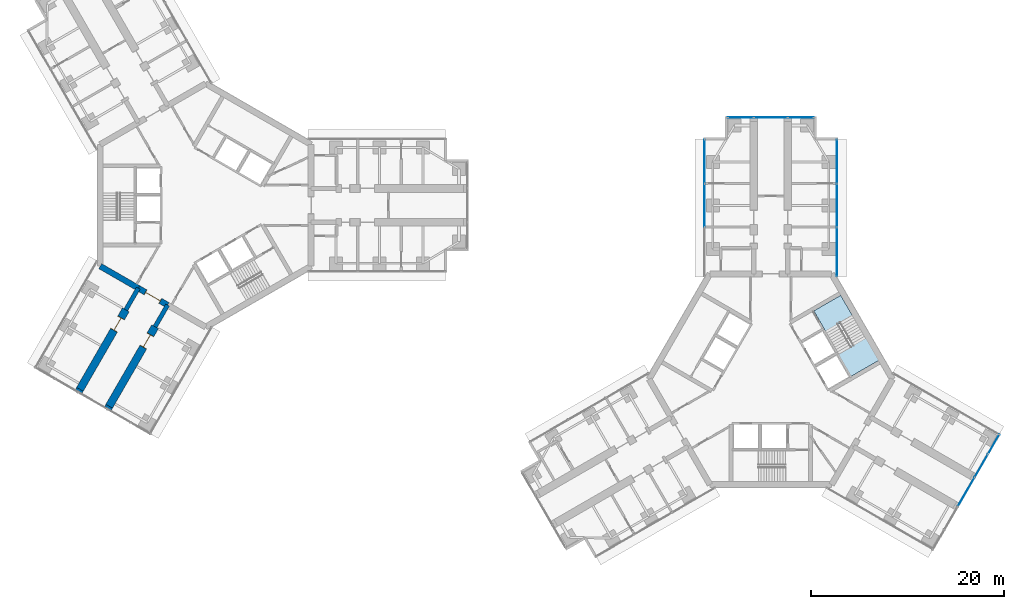
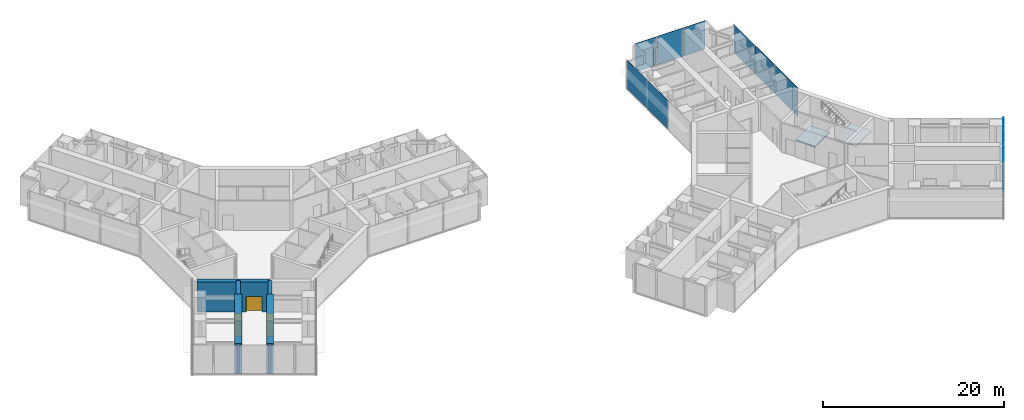
# One storey, part 14 of 21: 11 plates, 8 walls, 3 doors, 2 slabs, 3 openings, 5 elements without a shape of their own.
"""IFC4 building model written with IfcOpenShell, lengths in metres."""

from ifc_helpers import new_model, si_unit, direction, frame, frame_2d, origin, origin_2d, place, context, subcontext, project, spatial, polyline, rectangle, outline, extrude, material, layer, layer_set, type_object, element, fill, aggregate, save


model = new_model("IFC4")

# Units and contexts
model_context = context("Model", 3, precision=1e-05, world=origin(), true_north=direction((0.0, 1.0)))
body_context = subcontext(model_context, "Body", "Model", "MODEL_VIEW")
ifc_project = project(units=[si_unit("LENGTHUNIT", "METRE"), si_unit("AREAUNIT", "SQUARE_METRE"), si_unit("VOLUMEUNIT", "CUBIC_METRE"), si_unit("PLANEANGLEUNIT", "RADIAN"), si_unit("MASSUNIT", "GRAM", prefix="KILO")], contexts=[model_context])

# Site, building, storey
site_placement = place(None, origin())
site = spatial("IfcSite", under=ifc_project, at=site_placement, CompositionType="ELEMENT")
building_placement = place(site_placement, origin())
building = spatial("IfcBuilding", under=site, at=building_placement, Name="Upepo Twin Towers", CompositionType="ELEMENT")
storey_placement = place(building_placement, frame((0.0, 0.0, 117.5)))
storey = spatial("IfcBuildingStorey", under=building, at=storey_placement, Name="L28", CompositionType="ELEMENT", Elevation=117.5)

# Curtain wall, plates
ifc_material_1 = material(Name="Aluminium and fritted glass", Category="aluminium")
curtain_wall_type = type_object("IfcCurtainWallType", Name="Tower curtain wall TW2, fritted glass", PredefinedType="NOTDEFINED", material=ifc_material_1)
curtain_wall_1_placement = place(storey_placement, origin())
curtain_wall_1 = element("IfcCurtainWall", 1, at=curtain_wall_1_placement, inside=storey, type_object=curtain_wall_type, Name="T2 L28 wing A flank L curtain wall", PredefinedType="NOTDEFINED")
ifc_material_2 = material(Name="Ceramic-fritted laminated glass", Category="glass")
ifc_layer_1 = layer(ifc_material_2, 0.031982421875)
ifc_layer_set_1 = layer_set([ifc_layer_1], Name="Fritted glass panel, 35 per cent dot frit, 32 mm double glazed")
plate_type_1 = type_object("IfcPlateType", Name="Fritted glass panel, 35 per cent dot frit, 32 mm double glazed", PredefinedType="CURTAIN_PANEL", material=ifc_layer_set_1)
plate_1_placement = place(storey_placement, frame((51.64990234375, 0.0, 0.14990234375), z_axis=(0.0, 0.0, 1.0), x_axis=(0.0, 1.0, 0.0)))
plate_1 = element("IfcPlate", 2, at=plate_1_placement, type_object=plate_type_1, Name="T2 L28 wing A flank L curtain wall panel 2", PredefinedType="CURTAIN_PANEL", context=body_context, shape_type="SweptSolid", body=[
    extrude(rectangle(XDim=4.43505859375, YDim=0.031982421875, at=origin_2d()), origin(), (0.0, 0.0, 1.0), 3.85009765625),
])
plate_2_placement = place(storey_placement, frame((51.64990234375, 4.53369140625, 0.14990234375), z_axis=(0.0, 0.0, 1.0), x_axis=(0.0, 1.0, 0.0)))
plate_2 = element("IfcPlate", 3, at=plate_2_placement, type_object=plate_type_1, Name="T2 L28 wing A flank L curtain wall panel 3", PredefinedType="CURTAIN_PANEL", context=body_context, shape_type="SweptSolid", body=[
    extrude(rectangle(XDim=4.50244140625, YDim=0.031982421875, at=origin_2d()), origin(), (0.0, 0.0, 1.0), 3.85009765625),
])
aggregate(curtain_wall_1, [plate_1, plate_2])

curtain_wall_2_placement = place(storey_placement, origin())
curtain_wall_2 = element("IfcCurtainWall", 4, at=curtain_wall_2_placement, inside=storey, type_object=curtain_wall_type, Name="T2 L28 wing A flank R curtain wall", PredefinedType="NOTDEFINED")
plate_3_placement = place(storey_placement, frame((65.35009765625, 4.53369140625, 0.14990234375), z_axis=(0.0, 0.0, 1.0), x_axis=(0.0, -1.0, 0.0)))
plate_3 = element("IfcPlate", 5, at=plate_3_placement, type_object=plate_type_1, Name="T2 L28 wing A flank R curtain wall panel 1", PredefinedType="CURTAIN_PANEL", context=body_context, shape_type="SweptSolid", body=[
    extrude(rectangle(XDim=4.50244140625, YDim=0.031982421875, at=origin_2d()), origin(), (0.0, 0.0, 1.0), 3.85009765625),
])
plate_4_placement = place(storey_placement, frame((65.35009765625, 0.0, 0.14990234375), z_axis=(0.0, 0.0, 1.0), x_axis=(0.0, -1.0, 0.0)))
plate_4 = element("IfcPlate", 6, at=plate_4_placement, type_object=plate_type_1, Name="T2 L28 wing A flank R curtain wall panel 2", PredefinedType="CURTAIN_PANEL", context=body_context, shape_type="SweptSolid", body=[
    extrude(rectangle(XDim=4.43505859375, YDim=0.031982421875, at=origin_2d()), origin(), (0.0, 0.0, 1.0), 3.85009765625),
])
plate_5_placement = place(storey_placement, frame((65.35009765625, -4.815185546875, 0.14990234375), z_axis=(0.0, 0.0, 1.0), x_axis=(0.0, -1.0, 0.0)))
plate_5 = element("IfcPlate", 7, at=plate_5_placement, type_object=plate_type_1, Name="T2 L28 wing A flank R curtain wall panel 3", PredefinedType="CURTAIN_PANEL", context=body_context, shape_type="SweptSolid", body=[
    extrude(rectangle(XDim=5.0654296875, YDim=0.031982421875, at=origin_2d()), origin(), (0.0, 0.0, 1.0), 3.85009765625),
])
aggregate(curtain_wall_2, [plate_3, plate_4, plate_5])

# Curtain wall, plate
curtain_wall_3_placement = place(storey_placement, origin())
curtain_wall_3 = element("IfcCurtainWall", 8, at=curtain_wall_3_placement, inside=storey, type_object=curtain_wall_type, Name="T2 L28 wing A nose curtain wall", PredefinedType="NOTDEFINED")
plate_6_placement = place(storey_placement, frame((58.5, 9.10009765625, 0.14990234375), z_axis=(0.0, 0.0, 1.0), x_axis=(-1.0, 0.0, 0.0)))
plate_6 = element("IfcPlate", 9, at=plate_6_placement, type_object=plate_type_1, Name="T2 L28 wing A nose curtain wall panel 2", PredefinedType="CURTAIN_PANEL", context=body_context, shape_type="SweptSolid", body=[
    extrude(rectangle(XDim=3.43505859375, YDim=0.031982421875, at=origin_2d()), origin(), (0.0, 0.0, 1.0), 3.85009765625),
])

# Curtain wall, plates
curtain_wall_4_placement = place(storey_placement, origin())
curtain_wall_4 = element("IfcCurtainWall", 10, at=curtain_wall_4_placement, inside=storey, type_object=curtain_wall_type, Name="T2 L28 wing C nose curtain wall", PredefinedType="NOTDEFINED")
plate_7_placement = place(storey_placement, frame((78.7216796875, -29.675048828125, 0.14990234375), z_axis=(0.0, 0.0, 1.0), x_axis=(0.499999972355, 0.866025419745, 0.0)))
plate_7 = element("IfcPlate", 11, at=plate_7_placement, type_object=plate_type_1, Name="T2 L28 wing C nose curtain wall panel 3", PredefinedType="CURTAIN_PANEL", context=body_context, shape_type="SweptSolid", body=[
    extrude(rectangle(XDim=3.43505859375, YDim=0.031982421875, at=origin_2d()), origin(), (0.0, 0.0, 1.0), 3.85009765625),
])
plate_8_placement = place(storey_placement, frame((80.2841796875, -26.96875, 0.14990234375), z_axis=(0.0, 0.0, 1.0), x_axis=(0.499999972355, 0.866025419745, 0.0)))
plate_8 = element("IfcPlate", 12, at=plate_8_placement, type_object=plate_type_1, Name="T2 L28 wing C nose curtain wall panel 4", PredefinedType="CURTAIN_PANEL", context=body_context, shape_type="SweptSolid", body=[
    extrude(rectangle(XDim=2.68505859375, YDim=0.031982421875, at=origin_2d()), origin(), (0.0, 0.0, 1.0), 3.85009765625),
])

# Plate
ifc_material_3 = material(Name="Clear laminated glass in opening sash", Category="glass")
ifc_layer_2 = layer(ifc_material_3, 0.031982421875)
ifc_layer_set_2 = layer_set([ifc_layer_2], Name="Operable glass panel, 32 mm double glazed")
plate_type_2 = type_object("IfcPlateType", Name="Operable glass panel, 32 mm double glazed", PredefinedType="CURTAIN_PANEL", material=ifc_layer_set_2)
plate_9_placement = place(storey_placement, frame((61.608642578125, 9.10009765625, 0.14990234375), z_axis=(0.0, 0.0, 1.0), x_axis=(-1.0, 0.0, 0.0)))
plate_9 = element("IfcPlate", 13, at=plate_9_placement, type_object=plate_type_2, Name="T2 L28 wing A nose curtain wall panel 1", PredefinedType="CURTAIN_PANEL", context=body_context, shape_type="SweptSolid", body=[
    extrude(rectangle(XDim=2.652587890625, YDim=0.031982421875, at=origin_2d()), origin(), (0.0, 0.0, 1.0), 3.85009765625),
])

plate_10_placement = place(storey_placement, frame((55.391357421875, 9.10009765625, 0.14990234375), z_axis=(0.0, 0.0, 1.0), x_axis=(-1.0, 0.0, 0.0)))
plate_10 = element("IfcPlate", 14, at=plate_10_placement, type_object=plate_type_2, Name="T2 L28 wing A nose curtain wall panel 3", PredefinedType="CURTAIN_PANEL", context=body_context, shape_type="SweptSolid", body=[
    extrude(rectangle(XDim=2.652587890625, YDim=0.031982421875, at=origin_2d()), origin(), (0.0, 0.0, 1.0), 3.85009765625),
])

aggregate(curtain_wall_3, [plate_9, plate_6, plate_10])

plate_11_placement = place(storey_placement, frame((81.576171875, -24.73095703125, 0.14990234375), z_axis=(0.0, 0.0, 1.0), x_axis=(0.499999972355, 0.866025419745, 0.0)))
plate_11 = element("IfcPlate", 15, at=plate_11_placement, type_object=plate_type_2, Name="T2 L28 wing C nose curtain wall panel 5", PredefinedType="CURTAIN_PANEL", context=body_context, shape_type="SweptSolid", body=[
    extrude(rectangle(XDim=2.3525390625, YDim=0.031982421875, at=origin_2d()), origin(), (0.0, 0.0, 1.0), 3.85009765625),
])

aggregate(curtain_wall_4, [plate_7, plate_8, plate_11])

# Stair, slabs
ifc_material_4 = material(Name="Concrete C40/50", Category="concrete")
stair_type = type_object("IfcStairType", Name="Core stair, two flights", PredefinedType="HALF_TURN_STAIR", material=ifc_material_4)
stair_placement = place(storey_placement, origin())
stair = element("IfcStair", 16, at=stair_placement, inside=storey, type_object=stair_type, Name="T2 stair S2 L28", PredefinedType="HALF_TURN_STAIR")
ifc_material_5 = material(Name="Concrete C40/50", Category="concrete")
ifc_layer_3 = layer(ifc_material_5, 0.199951171875)
ifc_layer_set_3 = layer_set([ifc_layer_3], Name="Concrete C40/50")
slab_type = type_object("IfcSlabType", Name="Stair landing 200 RC", PredefinedType="LANDING", material=ifc_layer_set_3)
slab_1_placement = place(storey_placement, frame((0.0, 0.0, -0.199951171875)))
slab_1 = element("IfcSlab", 17, at=slab_1_placement, type_object=slab_type, Name="Stair S2 landing 1", PredefinedType="LANDING", context=body_context, shape_type="SweptSolid", body=[
    extrude(outline(polyline([(64.198486328125, -13.0703125), (66.97705078125, -11.466064453125), (65.737060546875, -9.318359375), (62.95849609375, -10.922607421875), (64.198486328125, -13.0703125)])), origin(), (0.0, 0.0, 1.0), 0.199951171875),
])
slab_2_placement = place(storey_placement, frame((0.0, 0.0, 1.800048828125)))
slab_2 = element("IfcSlab", 18, at=slab_2_placement, type_object=slab_type, Name="Stair S2 landing 2", PredefinedType="LANDING", context=body_context, shape_type="SweptSolid", body=[
    extrude(outline(polyline([(66.77197265625, -17.7275390625), (69.7236328125, -16.0234375), (68.36376953125, -13.667724609375), (65.411865234375, -15.371826171875), (66.77197265625, -17.7275390625)])), origin(), (0.0, 0.0, 1.0), 0.199951171875),
])
aggregate(stair, [slab_1, slab_2])

# Walls
ifc_material_6 = material(Name="Dense concrete blockwork", Category="masonry")
ifc_layer_4 = layer(ifc_material_6, 0.800048828125)
ifc_layer_set_4 = layer_set([ifc_layer_4], Name="Buttress closer 800, blockwork with fire-stopping to the curtain wall")
wall_type_1 = type_object("IfcWallType", Name="Buttress closer 800, blockwork with fire-stopping to the curtain wall", PredefinedType="PARTITIONING", material=ifc_layer_set_4)
for number, where, z_axis, x_axis, name in (
    (19, (-9.984375, -20.793701171875, 0.0), (0.0, 0.0, 1.0), (-0.500342721131, -0.865827443207, 0.0), "T1 L28 wing C buttress closer L"),
    (20, (-13.015625, -19.043701171875, 0.0), (0.0, 0.0, 1.0), (-0.500342721131, -0.865827443207, 0.0), "T1 L28 wing C buttress closer R"),
):
    element("IfcWall", number, at=place(storey_placement, frame(where, z_axis=z_axis, x_axis=x_axis)), inside=storey, type_object=wall_type_1, Name=name, PredefinedType="PARTITIONING", context=body_context, shape_type="SweptSolid", body=[
        extrude(rectangle(XDim=0.249755859375, YDim=0.800048828125, at=frame_2d((0.125, 0.0))), origin(), (0.0, 0.0, 1.0), 3.800048828125),
    ])
ifc_material_7 = material(Name="Concrete C60/75", Category="concrete")
ifc_layer_5 = layer(ifc_material_7, 0.449951171875)
ifc_layer_set_5 = layer_set([ifc_layer_5], Name="Concrete C60/75")
wall_type_2 = type_object("IfcWallType", Name="Buttress wall 450 RC", PredefinedType="SHEAR", material=ifc_layer_set_5)
for number, where, z_axis, x_axis, name in (
    (21, (-3.938720703125, -10.32177734375, 0.0), (0.0, 0.0, 1.0), (-0.499918158782, -0.866072649678, 0.0), "T1 wing C buttress wall L"),
    (22, (-6.9697265625, -8.57177734375, 0.0), (0.0, 0.0, 1.0), (-0.499988811324, -0.866031863473, 0.0), "T1 wing C buttress wall R"),
):
    element("IfcWall", number, at=place(storey_placement, frame(where, z_axis=z_axis, x_axis=x_axis)), inside=storey, type_object=wall_type_2, Name=name, PredefinedType="SHEAR", context=body_context, shape_type="SweptSolid", body=[
        extrude(rectangle(XDim=2.591796875, YDim=0.449951171875, at=frame_2d((1.2958984375, 0.0))), origin(), (0.0, 0.0, 1.0), 4.0),
    ])

# Wall, opening, door
ifc_material_8 = material(Name="Concrete C60/75", Category="concrete")
ifc_layer_6 = layer(ifc_material_8, 0.800048828125)
ifc_layer_set_6 = layer_set([ifc_layer_6], Name="Concrete C60/75")
wall_type_3 = type_object("IfcWallType", Name="Buttress wall 800 RC", PredefinedType="SHEAR", material=ifc_layer_set_6)
wall_1_placement = place(storey_placement, frame((-5.234375, -12.56640625, 0.0), z_axis=(0.0, 0.0, 1.0), x_axis=(-0.499997557548, -0.86602681393, 0.0)))
wall_1 = element("IfcWall", 23, at=wall_1_placement, inside=storey, type_object=wall_type_3, Name="T1 wing C buttress wall L part 2", PredefinedType="SHEAR", context=body_context, shape_type="SweptSolid", body=[
    extrude(rectangle(XDim=9.5, YDim=0.800048828125, at=frame_2d((4.75, 0.0))), origin(), (0.0, 0.0, 1.0), 4.0),
])
opening_1_placement = place(wall_1_placement, frame((0.949951171875, 0.0, 0.0)))
opening_1 = element("IfcOpeningElement", 24, at=opening_1_placement, cuts=wall_1, Name="Opening D13", PredefinedType="OPENING", context=body_context, shape_type="SweptSolid", body=[
    extrude(rectangle(XDim=1.5, YDim=2.10009765625, at=frame_2d((0.75, 1.050048828125))), frame((0.0, 0.409912109375, 0.0), z_axis=(0.0, -1.0, 0.0), x_axis=(1.0, 0.0, 0.0)), (0.0, 0.0, 1.0), 0.820068359375),
])
ifc_material_9 = material(Name="Timber doorset", Category="wood")
door_type_1 = type_object("IfcDoorType", Name="Double door 1500 FD30", OperationType="DOUBLE_DOOR_SINGLE_SWING", PredefinedType="DOOR", material=ifc_material_9)
door_1_placement = place(opening_1_placement, origin())
door_1 = element("IfcDoor", 25, at=door_1_placement, inside=storey, type_object=door_type_1, Name="T1 L28 laboratory prep room door", OperationType="DOUBLE_DOOR_SINGLE_SWING", OverallHeight=2.10009765625, OverallWidth=1.5, PredefinedType="DOOR", context=body_context, shape_type="SweptSolid", body=[
    extrude(rectangle(XDim=1.42, YDim=2.06009765625, at=frame_2d((0.75, 1.030029296875))), frame((0.0, 0.02490234375, 0.0), z_axis=(0.0, -1.0, 0.0), x_axis=(1.0, 0.0, 0.0)), (0.0, 0.0, 1.0), 0.050048828125),
    extrude(rectangle(XDim=0.04, YDim=2.10009765625, at=frame_2d((0.02001953125, 1.050048828125))), frame((0.0, 0.39990234375, 0.0), z_axis=(0.0, -1.0, 0.0), x_axis=(1.0, 0.0, 0.0)), (0.0, 0.0, 1.0), 0.799560546875),
    extrude(rectangle(XDim=0.04, YDim=2.10009765625, at=frame_2d((1.47998046875, 1.050048828125))), frame((0.0, 0.39990234375, 0.0), z_axis=(0.0, -1.0, 0.0), x_axis=(1.0, 0.0, 0.0)), (0.0, 0.0, 1.0), 0.799560546875),
    extrude(rectangle(XDim=1.42, YDim=0.04, at=frame_2d((0.75, 2.080078125))), frame((0.0, 0.39990234375, 0.0), z_axis=(0.0, -1.0, 0.0), x_axis=(1.0, 0.0, 0.0)), (0.0, 0.0, 1.0), 0.799560546875),
])
fill(opening_1, door_1)

wall_2_placement = place(storey_placement, frame((-8.265625, -10.81640625, 0.0), z_axis=(0.0, 0.0, 1.0), x_axis=(-0.499997557548, -0.86602681393, 0.0)))
wall_2 = element("IfcWall", 26, at=wall_2_placement, inside=storey, type_object=wall_type_3, Name="T1 wing C buttress wall R part 2", PredefinedType="SHEAR", context=body_context, shape_type="SweptSolid", body=[
    extrude(rectangle(XDim=9.5, YDim=0.800048828125, at=frame_2d((4.75, 0.0))), origin(), (0.0, 0.0, 1.0), 4.0),
])
opening_2_placement = place(wall_2_placement, frame((0.949951171875, 0.0, 0.0)))
opening_2 = element("IfcOpeningElement", 27, at=opening_2_placement, cuts=wall_2, Name="Opening D13", PredefinedType="OPENING", context=body_context, shape_type="SweptSolid", body=[
    extrude(rectangle(XDim=1.5, YDim=2.10009765625, at=frame_2d((0.75, 1.050048828125))), frame((0.0, 0.409912109375, 0.0), z_axis=(0.0, -1.0, 0.0), x_axis=(1.0, 0.0, 0.0)), (0.0, 0.0, 1.0), 0.820068359375),
])
door_2_placement = place(opening_2_placement, origin())
door_2 = element("IfcDoor", 28, at=door_2_placement, inside=storey, type_object=door_type_1, Name="T1 L28 laboratory prep room door", OperationType="DOUBLE_DOOR_SINGLE_SWING", OverallHeight=2.10009765625, OverallWidth=1.5, PredefinedType="DOOR", context=body_context, shape_type="SweptSolid", body=[
    extrude(rectangle(XDim=1.42, YDim=2.06009765625, at=frame_2d((0.75, 1.030029296875))), frame((0.0, 0.02490234375, 0.0), z_axis=(0.0, -1.0, 0.0), x_axis=(1.0, 0.0, 0.0)), (0.0, 0.0, 1.0), 0.050048828125),
    extrude(rectangle(XDim=0.04, YDim=2.10009765625, at=frame_2d((0.02001953125, 1.050048828125))), frame((0.0, 0.39990234375, 0.0), z_axis=(0.0, -1.0, 0.0), x_axis=(1.0, 0.0, 0.0)), (0.0, 0.0, 1.0), 0.799560546875),
    extrude(rectangle(XDim=0.04, YDim=2.10009765625, at=frame_2d((1.47998046875, 1.050048828125))), frame((0.0, 0.39990234375, 0.0), z_axis=(0.0, -1.0, 0.0), x_axis=(1.0, 0.0, 0.0)), (0.0, 0.0, 1.0), 0.799560546875),
    extrude(rectangle(XDim=1.42, YDim=0.04, at=frame_2d((0.75, 2.080078125))), frame((0.0, 0.39990234375, 0.0), z_axis=(0.0, -1.0, 0.0), x_axis=(1.0, 0.0, 0.0)), (0.0, 0.0, 1.0), 0.799560546875),
])
fill(opening_2, door_2)

# Wall
ifc_material_10 = material(Name="Concrete C60/75", Category="concrete")
ifc_layer_7 = layer(ifc_material_10, 0.60009765625)
ifc_layer_set_7 = layer_set([ifc_layer_7], Name="Concrete C60/75")
wall_type_4 = type_object("IfcWallType", Name="Core wall 600 RC", PredefinedType="SHEAR", material=ifc_layer_set_7)
wall_3_placement = place(storey_placement, frame((-10.908447265625, -6.2978515625, 0.0), z_axis=(0.0, 0.0, 1.0), x_axis=(0.866034513004, -0.499984222037, 0.0)))
element("IfcWall", 29, at=wall_3_placement, inside=storey, type_object=wall_type_4, Name="T1 core wall 240 R", PredefinedType="SHEAR", context=body_context, shape_type="SweptSolid", body=[
    extrude(rectangle(XDim=4.548095703125, YDim=0.60009765625, at=frame_2d((2.27392578125, 0.0))), origin(), (0.0, 0.0, 1.0), 4.0),
])

# Wall, opening, door
wall_4_placement = place(storey_placement, frame((-6.9697265625, -8.57177734375, 0.0), z_axis=(0.0, 0.0, 1.0), x_axis=(0.866019471182, -0.500010275428, 0.0)))
wall_4 = element("IfcWall", 30, at=wall_4_placement, inside=storey, type_object=wall_type_4, Name="T1 core wall 240", PredefinedType="SHEAR", context=body_context, shape_type="SweptSolid", body=[
    extrude(rectangle(XDim=3.5, YDim=0.60009765625, at=frame_2d((1.75, 0.0))), origin(), (0.0, 0.0, 1.0), 4.0),
])
opening_3_placement = place(wall_4_placement, frame((0.85009765625, 0.0, 0.0)))
opening_3 = element("IfcOpeningElement", 31, at=opening_3_placement, cuts=wall_4, Name="Opening D2", PredefinedType="OPENING", context=body_context, shape_type="SweptSolid", body=[
    extrude(rectangle(XDim=1.800048828125, YDim=2.10009765625, at=frame_2d((0.89990234375, 1.050048828125))), frame((0.0, 0.31005859375, 0.0), z_axis=(0.0, -1.0, 0.0), x_axis=(1.0, 0.0, 0.0)), (0.0, 0.0, 1.0), 0.6201171875),
])
ifc_material_11 = material(Name="Timber doorset", Category="wood")
door_type_2 = type_object("IfcDoorType", Name="Corridor double door 1800 FD60", OperationType="DOUBLE_DOOR_DOUBLE_SWING", PredefinedType="DOOR", material=ifc_material_11)
door_3_placement = place(opening_3_placement, origin())
door_3 = element("IfcDoor", 32, at=door_3_placement, inside=storey, type_object=door_type_2, Name="T1 L28 wing C corridor door", OperationType="DOUBLE_DOOR_DOUBLE_SWING", OverallHeight=2.10009765625, OverallWidth=1.800048828125, PredefinedType="DOOR", context=body_context, shape_type="SweptSolid", body=[
    extrude(rectangle(XDim=1.720048828125, YDim=2.06009765625, at=frame_2d((0.89990234375, 1.030029296875))), frame((0.0, 0.02490234375, 0.0), z_axis=(0.0, -1.0, 0.0), x_axis=(1.0, 0.0, 0.0)), (0.0, 0.0, 1.0), 0.050048828125),
    extrude(rectangle(XDim=0.04, YDim=2.10009765625, at=frame_2d((0.02001953125, 1.050048828125))), frame((0.0, 0.2998046875, 0.0), z_axis=(0.0, -1.0, 0.0), x_axis=(1.0, 0.0, 0.0)), (0.0, 0.0, 1.0), 0.599609375),
    extrude(rectangle(XDim=0.04, YDim=2.10009765625, at=frame_2d((1.780029296875, 1.050048828125))), frame((0.0, 0.2998046875, 0.0), z_axis=(0.0, -1.0, 0.0), x_axis=(1.0, 0.0, 0.0)), (0.0, 0.0, 1.0), 0.599609375),
    extrude(rectangle(XDim=1.720048828125, YDim=0.04, at=frame_2d((0.89990234375, 2.080078125))), frame((0.0, 0.2998046875, 0.0), z_axis=(0.0, -1.0, 0.0), x_axis=(1.0, 0.0, 0.0)), (0.0, 0.0, 1.0), 0.599609375),
])
fill(opening_3, door_3)

save(model, "model.ifc")
